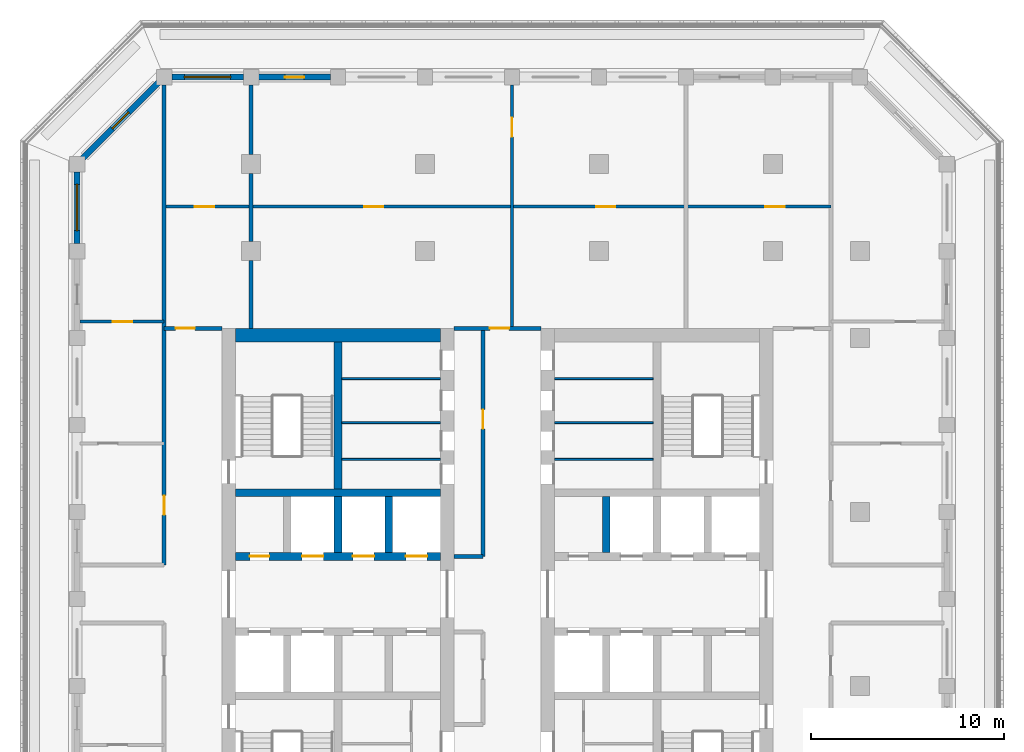
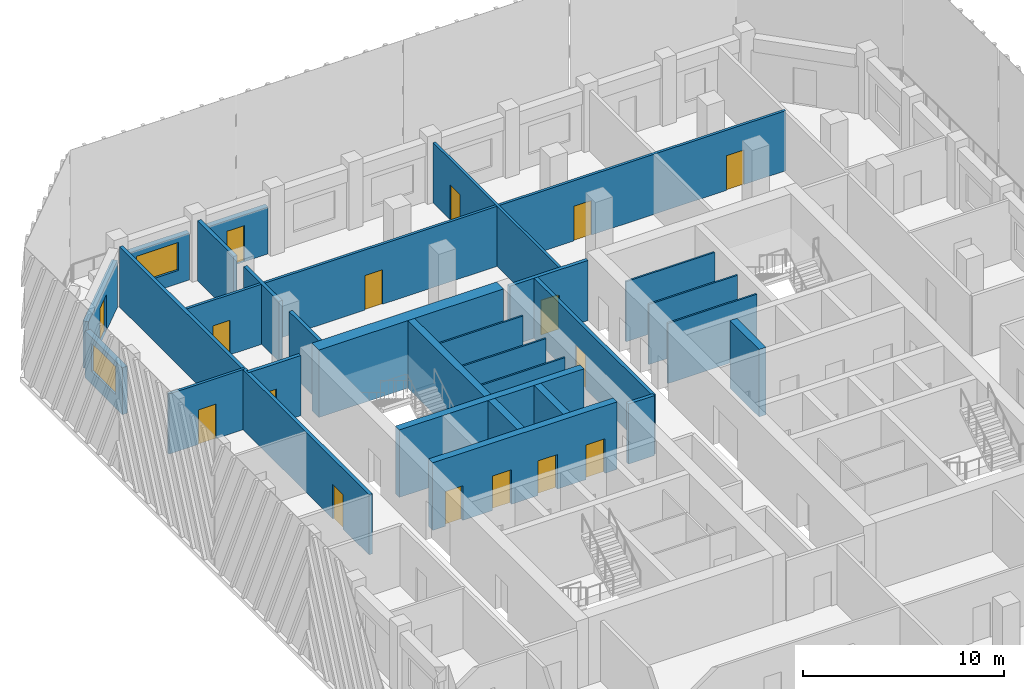
# One storey, part 6 of 17: 28 walls, 16 doors, 2 windows, 18 openings.
"""IFC4 building model written with IfcOpenShell, lengths in metres."""

from ifc_helpers import new_model, si_unit, direction, frame, frame_2d, origin, place, context, subcontext, project, spatial, rectangle, extrude, material, layer, layer_set, type_object, element, fill, save


model = new_model("IFC4")

# Units and contexts
model_context = context("Model", 3, precision=1e-05, world=origin(), true_north=direction((0.0, 1.0)))
body_context = subcontext(model_context, "Body", "Model", "MODEL_VIEW")
ifc_project = project(units=[si_unit("LENGTHUNIT", "METRE"), si_unit("AREAUNIT", "SQUARE_METRE"), si_unit("VOLUMEUNIT", "CUBIC_METRE"), si_unit("PLANEANGLEUNIT", "RADIAN"), si_unit("MASSUNIT", "GRAM", prefix="KILO")], contexts=[model_context])

# Site, building, storey
site_placement = place(None, origin())
site = spatial("IfcSite", under=ifc_project, at=site_placement, CompositionType="ELEMENT")
building_placement = place(site_placement, origin())
building = spatial("IfcBuilding", under=site, at=building_placement, Name="Corbel Stack Research Tower", CompositionType="ELEMENT")
storey_placement = place(building_placement, frame((0.0, 0.0, 239.800048828125)))
storey = spatial("IfcBuildingStorey", under=building, at=storey_placement, Name="L54", CompositionType="ELEMENT", Elevation=239.800048828125)

# Wall, openings, doors
ifc_material_1 = material(Name="Concrete C60/75", Category="concrete")
ifc_layer_1 = layer(ifc_material_1, 0.39990234375)
ifc_layer_set_1 = layer_set([ifc_layer_1], Name="Concrete C60/75")
wall_type_1 = type_object("IfcWallType", Name="CW-400-60", PredefinedType="SHEAR", material=ifc_layer_set_1)
wall_1_placement = place(storey_placement, frame((-9.800048828125, 6.699951171875, 0.0), z_axis=(0.0, 0.0, 1.0), x_axis=(1.0, 0.0, 0.0)))
wall_1 = element("IfcWall", 1, at=wall_1_placement, inside=storey, type_object=wall_type_1, Name="West core wall, lobby north L54", PredefinedType="SHEAR", context=body_context, shape_type="SweptSolid", body=[
    extrude(rectangle(XDim=10.60009765625, YDim=0.39990234375, at=frame_2d((5.300048828125, 0.0))), origin(), (0.0, 0.0, 1.0), 4.099853515625),
])
opening_1_placement = place(wall_1_placement, frame((3.4375, 0.0, 0.0)))
opening_1 = element("IfcOpeningElement", 2, at=opening_1_placement, cuts=wall_1, Name="Opening LD-HR1", PredefinedType="OPENING", context=body_context, shape_type="SweptSolid", body=[
    extrude(rectangle(XDim=1.10009765625, YDim=2.10009765625, at=frame_2d((0.550048828125, 1.050048828125))), frame((0.0, 0.2099609375, 0.0), z_axis=(0.0, -1.0, 0.0), x_axis=(1.0, 0.0, 0.0)), (0.0, 0.0, 1.0), 0.419921875),
])
opening_2_placement = place(wall_1_placement, frame((6.0625, 0.0, 0.0)))
opening_2 = element("IfcOpeningElement", 3, at=opening_2_placement, cuts=wall_1, Name="Opening LD-HR2", PredefinedType="OPENING", context=body_context, shape_type="SweptSolid", body=[
    extrude(rectangle(XDim=1.10009765625, YDim=2.10009765625, at=frame_2d((0.550048828125, 1.050048828125))), frame((0.0, 0.2099609375, 0.0), z_axis=(0.0, -1.0, 0.0), x_axis=(1.0, 0.0, 0.0)), (0.0, 0.0, 1.0), 0.419921875),
])
opening_3_placement = place(wall_1_placement, frame((8.8125, 0.0, 0.0)))
opening_3 = element("IfcOpeningElement", 4, at=opening_3_placement, cuts=wall_1, Name="Opening LD-HR3", PredefinedType="OPENING", context=body_context, shape_type="SweptSolid", body=[
    extrude(rectangle(XDim=1.10009765625, YDim=2.10009765625, at=frame_2d((0.550048828125, 1.050048828125))), frame((0.0, 0.2099609375, 0.0), z_axis=(0.0, -1.0, 0.0), x_axis=(1.0, 0.0, 0.0)), (0.0, 0.0, 1.0), 0.419921875),
])
opening_4_placement = place(wall_1_placement, frame((0.737548828125, 0.0, 0.0)))
opening_4 = element("IfcOpeningElement", 5, at=opening_4_placement, cuts=wall_1, Name="Opening CR-W66-N1", PredefinedType="OPENING", context=body_context, shape_type="SweptSolid", body=[
    extrude(rectangle(XDim=1.0, YDim=2.10009765625, at=frame_2d((0.5, 1.050048828125))), frame((0.0, 0.2099609375, 0.0), z_axis=(0.0, -1.0, 0.0), x_axis=(1.0, 0.0, 0.0)), (0.0, 0.0, 1.0), 0.419921875),
])
ifc_material_2 = material(Name="Stainless steel landing door", Category="steel")
door_type_1 = type_object("IfcDoorType", Name="Lift landing door 1100 x 2100", OperationType="DOUBLE_DOOR_SLIDING", PredefinedType="DOOR", material=ifc_material_2)
door_1_placement = place(opening_1_placement, origin())
door_1 = element("IfcDoor", 6, at=door_1_placement, inside=storey, type_object=door_type_1, Name="Landing door HR1", OperationType="DOUBLE_DOOR_SLIDING", OverallHeight=2.10009765625, OverallWidth=1.10009765625, PredefinedType="DOOR", context=body_context, shape_type="SweptSolid", body=[
    extrude(rectangle(XDim=1.10009765625, YDim=2.10009765625, at=frame_2d((0.550048828125, 1.050048828125))), frame((0.0, 0.02490234375, 0.0), z_axis=(0.0, -1.0, 0.0), x_axis=(1.0, 0.0, 0.0)), (0.0, 0.0, 1.0), 0.050048828125),
])
fill(opening_1, door_1)
door_2_placement = place(opening_2_placement, origin())
door_2 = element("IfcDoor", 7, at=door_2_placement, inside=storey, type_object=door_type_1, Name="Landing door HR2", OperationType="DOUBLE_DOOR_SLIDING", OverallHeight=2.10009765625, OverallWidth=1.10009765625, PredefinedType="DOOR", context=body_context, shape_type="SweptSolid", body=[
    extrude(rectangle(XDim=1.10009765625, YDim=2.10009765625, at=frame_2d((0.550048828125, 1.050048828125))), frame((0.0, 0.02490234375, 0.0), z_axis=(0.0, -1.0, 0.0), x_axis=(1.0, 0.0, 0.0)), (0.0, 0.0, 1.0), 0.050048828125),
])
fill(opening_2, door_2)
door_3_placement = place(opening_3_placement, origin())
door_3 = element("IfcDoor", 8, at=door_3_placement, inside=storey, type_object=door_type_1, Name="Landing door HR3", OperationType="DOUBLE_DOOR_SLIDING", OverallHeight=2.10009765625, OverallWidth=1.10009765625, PredefinedType="DOOR", context=body_context, shape_type="SweptSolid", body=[
    extrude(rectangle(XDim=1.10009765625, YDim=2.10009765625, at=frame_2d((0.550048828125, 1.050048828125))), frame((0.0, 0.02490234375, 0.0), z_axis=(0.0, -1.0, 0.0), x_axis=(1.0, 0.0, 0.0)), (0.0, 0.0, 1.0), 0.050048828125),
])
fill(opening_3, door_3)
ifc_material_3 = material(Name="Painted steel door", Category="steel")
door_type_2 = type_object("IfcDoorType", Name="Service door 1000 x 2100 FD60 left hand", OperationType="SINGLE_SWING_LEFT", PredefinedType="DOOR", material=ifc_material_3)
door_4_placement = place(opening_4_placement, origin())
door_4 = element("IfcDoor", 9, at=door_4_placement, inside=storey, type_object=door_type_2, Name="Laboratory consumables store door W core", OperationType="SINGLE_SWING_LEFT", OverallHeight=2.10009765625, OverallWidth=1.0, PredefinedType="DOOR", context=body_context, shape_type="SweptSolid", body=[
    extrude(rectangle(XDim=1.0, YDim=2.10009765625, at=frame_2d((0.5, 1.050048828125))), frame((0.0, 0.02490234375, 0.0), z_axis=(0.0, -1.0, 0.0), x_axis=(1.0, 0.0, 0.0)), (0.0, 0.0, 1.0), 0.050048828125),
])
fill(opening_4, door_4)

# Walls
wall_2_placement = place(storey_placement, frame((-9.800048828125, 10.0, 0.0), z_axis=(0.0, 0.0, 1.0), x_axis=(1.0, 0.0, 0.0)))
element("IfcWall", 10, at=wall_2_placement, inside=storey, type_object=wall_type_1, Name="West core wall, north row back L54", PredefinedType="SHEAR", context=body_context, shape_type="SweptSolid", body=[
    extrude(rectangle(XDim=10.60009765625, YDim=0.39990234375, at=frame_2d((5.300048828125, 0.0))), origin(), (0.0, 0.0, 1.0), 4.099853515625),
])
for number, where, z_axis, x_axis, name in (
    (11, (-4.5, 6.89990234375, 0.0), (0.0, 0.0, 1.0), (0.0, 1.0, 0.0), "West core wall, north shaft 2 L54"),
    (12, (-1.875, 6.89990234375, 0.0), (0.0, 0.0, 1.0), (0.0, 1.0, 0.0), "West core wall, north shaft 3 L54"),
):
    element("IfcWall", number, at=place(storey_placement, frame(where, z_axis=z_axis, x_axis=x_axis)), inside=storey, type_object=wall_type_1, Name=name, PredefinedType="SHEAR", context=body_context, shape_type="SweptSolid", body=[
        extrude(rectangle(XDim=2.900146484375, YDim=0.39990234375, at=frame_2d((1.4501953125, 0.0))), origin(), (0.0, 0.0, 1.0), 4.099853515625),
    ])
wall_3_placement = place(storey_placement, frame((-4.5, 10.199951171875, 0.0), z_axis=(0.0, 0.0, 1.0), x_axis=(0.0, 1.0, 0.0)))
element("IfcWall", 13, at=wall_3_placement, inside=storey, type_object=wall_type_1, Name="West core wall, north stair and riser L54", PredefinedType="SHEAR", context=body_context, shape_type="SweptSolid", body=[
    extrude(rectangle(XDim=7.60009765625, YDim=0.39990234375, at=frame_2d((3.800048828125, 0.0))), origin(), (0.0, 0.0, 1.0), 4.099853515625),
])
wall_4_placement = place(storey_placement, frame((9.375, 6.89990234375, 0.0), z_axis=(0.0, 0.0, 1.0), x_axis=(0.0, 1.0, 0.0)))
element("IfcWall", 14, at=wall_4_placement, inside=storey, type_object=wall_type_1, Name="East core wall, north shaft 1 L54", PredefinedType="SHEAR", context=body_context, shape_type="SweptSolid", body=[
    extrude(rectangle(XDim=2.900146484375, YDim=0.39990234375, at=frame_2d((1.4501953125, 0.0))), origin(), (0.0, 0.0, 1.0), 4.099853515625),
])
ifc_material_4 = material(Name="Concrete C60/75", Category="concrete")
ifc_layer_2 = layer(ifc_material_4, 0.699951171875)
ifc_layer_set_2 = layer_set([ifc_layer_2], Name="Concrete C60/75")
wall_type_2 = type_object("IfcWallType", Name="CW-700-60", PredefinedType="SHEAR", material=ifc_layer_set_2)
wall_5_placement = place(storey_placement, frame((-9.800048828125, 18.14990234375, 0.0), z_axis=(0.0, 0.0, 1.0), x_axis=(1.0, 0.0, 0.0)))
element("IfcWall", 15, at=wall_5_placement, inside=storey, type_object=wall_type_2, Name="West core wall, north end L54", PredefinedType="SHEAR", context=body_context, shape_type="SweptSolid", body=[
    extrude(rectangle(XDim=10.60009765625, YDim=0.699951171875, at=frame_2d((5.300048828125, 0.0))), origin(), (0.0, 0.0, 1.0), 4.099853515625),
])
ifc_material_5 = material(Name="Gypsum board")
ifc_layer_3 = layer(ifc_material_5, 0.10009765625)
ifc_layer_set_3 = layer_set([ifc_layer_3], Name="Gypsum board")
wall_type_3 = type_object("IfcWallType", Name="Core partition 100", PredefinedType="PARTITIONING", material=ifc_layer_set_3)
for number, where, z_axis, x_axis, name in (
    (16, (-4.300048828125, 11.719970703125, 0.0), (0.0, 0.0, 1.0), (1.0, 0.0, 0.0), "Core partition W"),
    (17, (-4.300048828125, 13.6201171875, 0.0), (0.0, 0.0, 1.0), (1.0, 0.0, 0.0), "Core partition W"),
    (18, (-4.300048828125, 15.89990234375, 0.0), (0.0, 0.0, 1.0), (1.0, 0.0, 0.0), "Core partition W"),
    (19, (6.699951171875, 11.719970703125, 0.0), (0.0, 0.0, 1.0), (1.0, 0.0, 0.0), "Core partition E"),
    (20, (6.699951171875, 13.6201171875, 0.0), (0.0, 0.0, 1.0), (1.0, 0.0, 0.0), "Core partition E"),
    (21, (6.699951171875, 15.89990234375, 0.0), (0.0, 0.0, 1.0), (1.0, 0.0, 0.0), "Core partition E"),
):
    element("IfcWall", number, at=place(storey_placement, frame(where, z_axis=z_axis, x_axis=x_axis)), inside=storey, type_object=wall_type_3, Name=name, PredefinedType="PARTITIONING", context=body_context, shape_type="SweptSolid", body=[
        extrude(rectangle(XDim=5.10009765625, YDim=0.10009765625, at=frame_2d((2.550048828125, 0.0))), origin(), (0.0, 0.0, 1.0), 3.64990234375),
    ])

# Wall, opening, door
ifc_material_6 = material(Name="Fire-rated gypsum board partition on steel studs", Category="steel")
ifc_layer_4 = layer(ifc_material_6, 0.14990234375)
ifc_layer_set_4 = layer_set([ifc_layer_4], Name="Fire-rated gypsum board partition on steel studs")
wall_type_4 = type_object("IfcWallType", Name="Fire-rated partition 150 EI 60", PredefinedType="PARTITIONING", material=ifc_layer_set_4)
wall_6_placement = place(storey_placement, frame((4.5, 31.10009765625, 0.0), z_axis=(0.0, 0.0, 1.0), x_axis=(0.0, -1.0, 0.0)))
wall_6 = element("IfcWall", 22, at=wall_6_placement, inside=storey, type_object=wall_type_4, Name="Partition L54-011", PredefinedType="PARTITIONING", context=body_context, shape_type="SweptSolid", body=[
    extrude(rectangle(XDim=12.60009765625, YDim=0.14990234375, at=frame_2d((6.300048828125, 0.0))), origin(), (0.0, 0.0, 1.0), 3.64990234375),
])
opening_5_placement = place(wall_6_placement, frame((1.699951171875, 0.0, 0.0)))
opening_5 = element("IfcOpeningElement", 23, at=opening_5_placement, cuts=wall_6, Name="Opening B7V0-018", PredefinedType="OPENING", context=body_context, shape_type="SweptSolid", body=[
    extrude(rectangle(XDim=1.0, YDim=2.10009765625, at=frame_2d((0.5, 1.050048828125))), frame((0.0, 0.0849609375, 0.0), z_axis=(0.0, -1.0, 0.0), x_axis=(1.0, 0.0, 0.0)), (0.0, 0.0, 1.0), 0.169921875),
])
ifc_material_7 = material(Name="Painted steel fire door", Category="steel")
door_type_3 = type_object("IfcDoorType", Name="Fire door FD30S 1000 x 2100", OperationType="NOTDEFINED", PredefinedType="DOOR", material=ifc_material_7)
door_5_placement = place(opening_5_placement, origin())
door_5 = element("IfcDoor", 24, at=door_5_placement, inside=storey, type_object=door_type_3, Name="Door B7V0-018", OperationType="SINGLE_SWING_LEFT", OverallHeight=2.10009765625, OverallWidth=1.0, PredefinedType="DOOR", context=body_context, shape_type="SweptSolid", body=[
    extrude(rectangle(XDim=1.0, YDim=2.10009765625, at=frame_2d((0.5, 1.050048828125))), frame((0.0, 0.02490234375, 0.0), z_axis=(0.0, -1.0, 0.0), x_axis=(1.0, 0.0, 0.0)), (0.0, 0.0, 1.0), 0.050048828125),
])
fill(opening_5, door_5)

ifc_material_8 = material(Name="Fire-rated gypsum board partition on steel studs", Category="steel")
ifc_layer_5 = layer(ifc_material_8, 0.199951171875)
ifc_layer_set_5 = layer_set([ifc_layer_5], Name="Fire-rated gypsum board partition on steel studs")
wall_type_5 = type_object("IfcWallType", Name="Fire-rated partition 200 EI 60", PredefinedType="PARTITIONING", material=ifc_layer_set_5)
wall_7_placement = place(storey_placement, frame((-13.5, 6.25, 0.0), z_axis=(0.0, 0.0, 1.0), x_axis=(0.0, 1.0, 0.0)))
wall_7 = element("IfcWall", 25, at=wall_7_placement, inside=storey, type_object=wall_type_5, Name="Partition L54-002", PredefinedType="PARTITIONING", context=body_context, shape_type="SweptSolid", body=[
    extrude(rectangle(XDim=24.8271484375, YDim=0.199951171875, at=frame_2d((12.41357421875, 0.0))), origin(), (0.0, 0.0, 1.0), 3.64990234375),
])
opening_6_placement = place(wall_7_placement, frame((2.60009765625, 0.0, 0.0)))
opening_6 = element("IfcOpeningElement", 26, at=opening_6_placement, cuts=wall_7, Name="Opening B7V0-006", PredefinedType="OPENING", context=body_context, shape_type="SweptSolid", body=[
    extrude(rectangle(XDim=1.0, YDim=2.10009765625, at=frame_2d((0.5, 1.050048828125))), frame((0.0, 0.10986328125, 0.0), z_axis=(0.0, -1.0, 0.0), x_axis=(1.0, 0.0, 0.0)), (0.0, 0.0, 1.0), 0.219970703125),
])
door_6_placement = place(opening_6_placement, origin())
door_6 = element("IfcDoor", 27, at=door_6_placement, inside=storey, type_object=door_type_3, Name="Door B7V0-006", OperationType="SINGLE_SWING_LEFT", OverallHeight=2.10009765625, OverallWidth=1.0, PredefinedType="DOOR", context=body_context, shape_type="SweptSolid", body=[
    extrude(rectangle(XDim=1.0, YDim=2.10009765625, at=frame_2d((0.5, 1.050048828125))), frame((0.0, 0.02490234375, 0.0), z_axis=(0.0, -1.0, 0.0), x_axis=(1.0, 0.0, 0.0)), (0.0, 0.0, 1.0), 0.050048828125),
])
fill(opening_6, door_6)

# Walls
for number, where, z_axis, x_axis, name in (
    (28, (-9.0, 18.5, 0.0), (0.0, 0.0, 1.0), (0.0, 1.0, 0.0), "Partition L54-005"),
    (29, (-9.0, 23.0, 0.0), (0.0, 0.0, 1.0), (0.0, 1.0, 0.0), "Partition L54-006"),
):
    element("IfcWall", number, at=place(storey_placement, frame(where, z_axis=z_axis, x_axis=x_axis)), inside=storey, type_object=wall_type_5, Name=name, PredefinedType="PARTITIONING", context=body_context, shape_type="SweptSolid", body=[
        extrude(rectangle(XDim=3.5, YDim=0.199951171875, at=frame_2d((1.75, 0.0))), origin(), (0.0, 0.0, 1.0), 3.64990234375),
    ])
wall_8_placement = place(storey_placement, frame((-9.0, 27.5, 0.0), z_axis=(0.0, 0.0, 1.0), x_axis=(0.0, 1.0, 0.0)))
element("IfcWall", 30, at=wall_8_placement, inside=storey, type_object=wall_type_5, Name="Partition L54-007", PredefinedType="PARTITIONING", context=body_context, shape_type="SweptSolid", body=[
    extrude(rectangle(XDim=3.60009765625, YDim=0.199951171875, at=frame_2d((1.800048828125, 0.0))), origin(), (0.0, 0.0, 1.0), 3.64990234375),
])

# Wall, opening, door
wall_9_placement = place(storey_placement, frame((3.0, 6.699951171875, 0.0), z_axis=(0.0, 0.0, 1.0), x_axis=(0.0, 1.0, 0.0)))
wall_9 = element("IfcWall", 31, at=wall_9_placement, inside=storey, type_object=wall_type_5, Name="Partition L54-010", PredefinedType="PARTITIONING", context=body_context, shape_type="SweptSolid", body=[
    extrude(rectangle(XDim=11.800048828125, YDim=0.199951171875, at=frame_2d((5.89990234375, 0.0))), origin(), (0.0, 0.0, 1.0), 3.64990234375),
])
opening_7_placement = place(wall_9_placement, frame((6.60009765625, 0.0, 0.0)))
opening_7 = element("IfcOpeningElement", 32, at=opening_7_placement, cuts=wall_9, Name="Opening B7V0-017", PredefinedType="OPENING", context=body_context, shape_type="SweptSolid", body=[
    extrude(rectangle(XDim=1.0, YDim=2.10009765625, at=frame_2d((0.5, 1.050048828125))), frame((0.0, 0.10986328125, 0.0), z_axis=(0.0, -1.0, 0.0), x_axis=(1.0, 0.0, 0.0)), (0.0, 0.0, 1.0), 0.219970703125),
])
door_7_placement = place(opening_7_placement, origin())
door_7 = element("IfcDoor", 33, at=door_7_placement, inside=storey, type_object=door_type_3, Name="Door B7V0-017", OperationType="SINGLE_SWING_RIGHT", OverallHeight=2.10009765625, OverallWidth=1.0, PredefinedType="DOOR", context=body_context, shape_type="SweptSolid", body=[
    extrude(rectangle(XDim=1.0, YDim=2.10009765625, at=frame_2d((0.5, 1.050048828125))), frame((0.0, 0.02490234375, 0.0), z_axis=(0.0, -1.0, 0.0), x_axis=(1.0, 0.0, 0.0)), (0.0, 0.0, 1.0), 0.050048828125),
])
fill(opening_7, door_7)

# Wall
wall_10_placement = place(storey_placement, frame((1.5, 6.699951171875, 0.0), z_axis=(0.0, 0.0, 1.0), x_axis=(1.0, 0.0, 0.0)))
element("IfcWall", 34, at=wall_10_placement, inside=storey, type_object=wall_type_5, Name="Partition L54-033", PredefinedType="PARTITIONING", context=body_context, shape_type="SweptSolid", body=[
    extrude(rectangle(XDim=1.5, YDim=0.199951171875, at=frame_2d((0.75, 0.0))), origin(), (0.0, 0.0, 1.0), 3.64990234375),
])

# Wall, opening, door
wall_11_placement = place(storey_placement, frame((-13.5, 18.5, 0.0), z_axis=(0.0, 0.0, 1.0), x_axis=(1.0, 0.0, 0.0)))
wall_11 = element("IfcWall", 35, at=wall_11_placement, inside=storey, type_object=wall_type_5, Name="Partition L54-036", PredefinedType="PARTITIONING", context=body_context, shape_type="SweptSolid", body=[
    extrude(rectangle(XDim=3.0, YDim=0.199951171875, at=frame_2d((1.5, 0.0))), origin(), (0.0, 0.0, 1.0), 3.64990234375),
])
opening_8_placement = place(wall_11_placement, frame((0.60009765625, 0.0, 0.0)))
opening_8 = element("IfcOpeningElement", 36, at=opening_8_placement, cuts=wall_11, Name="Opening B7V0-021", PredefinedType="OPENING", context=body_context, shape_type="SweptSolid", body=[
    extrude(rectangle(XDim=1.0, YDim=2.10009765625, at=frame_2d((0.5, 1.050048828125))), frame((0.0, 0.10986328125, 0.0), z_axis=(0.0, -1.0, 0.0), x_axis=(1.0, 0.0, 0.0)), (0.0, 0.0, 1.0), 0.219970703125),
])
door_8_placement = place(opening_8_placement, origin())
door_8 = element("IfcDoor", 37, at=door_8_placement, inside=storey, type_object=door_type_3, Name="Door B7V0-021", OperationType="SINGLE_SWING_LEFT", OverallHeight=2.10009765625, OverallWidth=1.0, PredefinedType="DOOR", context=body_context, shape_type="SweptSolid", body=[
    extrude(rectangle(XDim=1.0, YDim=2.10009765625, at=frame_2d((0.5, 1.050048828125))), frame((0.0, 0.02490234375, 0.0), z_axis=(0.0, -1.0, 0.0), x_axis=(1.0, 0.0, 0.0)), (0.0, 0.0, 1.0), 0.050048828125),
])
fill(opening_8, door_8)

wall_12_placement = place(storey_placement, frame((1.5, 18.5, 0.0), z_axis=(0.0, 0.0, 1.0), x_axis=(1.0, 0.0, 0.0)))
wall_12 = element("IfcWall", 38, at=wall_12_placement, inside=storey, type_object=wall_type_5, Name="Partition L54-037", PredefinedType="PARTITIONING", context=body_context, shape_type="SweptSolid", body=[
    extrude(rectangle(XDim=4.5, YDim=0.199951171875, at=frame_2d((2.25, 0.0))), origin(), (0.0, 0.0, 1.0), 3.64990234375),
])
opening_9_placement = place(wall_12_placement, frame((1.85009765625, 0.0, 0.0)))
opening_9 = element("IfcOpeningElement", 39, at=opening_9_placement, cuts=wall_12, Name="Opening B7V0-022", PredefinedType="OPENING", context=body_context, shape_type="SweptSolid", body=[
    extrude(rectangle(XDim=1.0, YDim=2.10009765625, at=frame_2d((0.5, 1.050048828125))), frame((0.0, 0.10986328125, 0.0), z_axis=(0.0, -1.0, 0.0), x_axis=(1.0, 0.0, 0.0)), (0.0, 0.0, 1.0), 0.219970703125),
])
door_9_placement = place(opening_9_placement, origin())
door_9 = element("IfcDoor", 40, at=door_9_placement, inside=storey, type_object=door_type_3, Name="Door B7V0-022", OperationType="SINGLE_SWING_RIGHT", OverallHeight=2.10009765625, OverallWidth=1.0, PredefinedType="DOOR", context=body_context, shape_type="SweptSolid", body=[
    extrude(rectangle(XDim=1.0, YDim=2.10009765625, at=frame_2d((0.5, 1.050048828125))), frame((0.0, 0.02490234375, 0.0), z_axis=(0.0, -1.0, 0.0), x_axis=(1.0, 0.0, 0.0)), (0.0, 0.0, 1.0), 0.050048828125),
])
fill(opening_9, door_9)

ifc_material_9 = material(Name="Gypsum board partition on steel studs", Category="steel")
ifc_layer_6 = layer(ifc_material_9, 0.14990234375)
ifc_layer_set_6 = layer_set([ifc_layer_6], Name="Gypsum board partition on steel studs")
wall_type_6 = type_object("IfcWallType", Name="Partition 150", PredefinedType="PARTITIONING", material=ifc_layer_set_6)
wall_13_placement = place(storey_placement, frame((-17.85009765625, 18.85009765625, 0.0), z_axis=(0.0, 0.0, 1.0), x_axis=(1.0, 0.0, 0.0)))
wall_13 = element("IfcWall", 41, at=wall_13_placement, inside=storey, type_object=wall_type_6, Name="Partition L54-039", PredefinedType="PARTITIONING", context=body_context, shape_type="SweptSolid", body=[
    extrude(rectangle(XDim=4.35009765625, YDim=0.14990234375, at=frame_2d((2.175048828125, 0.0))), origin(), (0.0, 0.0, 1.0), 3.64990234375),
])
opening_10_placement = place(wall_13_placement, frame((1.699951171875, 0.0, 0.0)))
opening_10 = element("IfcOpeningElement", 42, at=opening_10_placement, cuts=wall_13, Name="Opening B7V0-024", PredefinedType="OPENING", context=body_context, shape_type="SweptSolid", body=[
    extrude(rectangle(XDim=1.0, YDim=2.10009765625, at=frame_2d((0.5, 1.050048828125))), frame((0.0, 0.0849609375, 0.0), z_axis=(0.0, -1.0, 0.0), x_axis=(1.0, 0.0, 0.0)), (0.0, 0.0, 1.0), 0.169921875),
])
ifc_material_10 = material(Name="Painted timber door", Category="wood")
door_type_4 = type_object("IfcDoorType", Name="Single door 1000 x 2100", OperationType="NOTDEFINED", PredefinedType="DOOR", material=ifc_material_10)
door_10_placement = place(opening_10_placement, origin())
door_10 = element("IfcDoor", 43, at=door_10_placement, inside=storey, type_object=door_type_4, Name="Door B7V0-024", OperationType="SINGLE_SWING_LEFT", OverallHeight=2.10009765625, OverallWidth=1.0, PredefinedType="DOOR", context=body_context, shape_type="SweptSolid", body=[
    extrude(rectangle(XDim=1.0, YDim=2.10009765625, at=frame_2d((0.5, 1.050048828125))), frame((0.0, 0.02490234375, 0.0), z_axis=(0.0, -1.0, 0.0), x_axis=(1.0, 0.0, 0.0)), (0.0, 0.0, 1.0), 0.050048828125),
])
fill(opening_10, door_10)

# Wall, openings, doors
wall_14_placement = place(storey_placement, frame((-13.5, 24.800048828125, 0.0), z_axis=(0.0, 0.0, 1.0), x_axis=(1.0, 0.0, 0.0)))
wall_14 = element("IfcWall", 44, at=wall_14_placement, inside=storey, type_object=wall_type_6, Name="Partition L54-041", PredefinedType="PARTITIONING", context=body_context, shape_type="SweptSolid", body=[
    extrude(rectangle(XDim=34.5, YDim=0.14990234375, at=frame_2d((17.25, 0.0))), origin(), (0.0, 0.0, 1.0), 3.64990234375),
])
opening_11_placement = place(wall_14_placement, frame((1.60009765625, 0.0, 0.0)))
opening_11 = element("IfcOpeningElement", 45, at=opening_11_placement, cuts=wall_14, Name="Opening B7V0-028", PredefinedType="OPENING", context=body_context, shape_type="SweptSolid", body=[
    extrude(rectangle(XDim=1.0, YDim=2.10009765625, at=frame_2d((0.5, 1.050048828125))), frame((0.0, 0.0849609375, 0.0), z_axis=(0.0, -1.0, 0.0), x_axis=(1.0, 0.0, 0.0)), (0.0, 0.0, 1.0), 0.169921875),
])
opening_12_placement = place(wall_14_placement, frame((10.35009765625, 0.0, 0.0)))
opening_12 = element("IfcOpeningElement", 46, at=opening_12_placement, cuts=wall_14, Name="Opening B7V0-029", PredefinedType="OPENING", context=body_context, shape_type="SweptSolid", body=[
    extrude(rectangle(XDim=1.0, YDim=2.10009765625, at=frame_2d((0.5, 1.050048828125))), frame((0.0, 0.0849609375, 0.0), z_axis=(0.0, -1.0, 0.0), x_axis=(1.0, 0.0, 0.0)), (0.0, 0.0, 1.0), 0.169921875),
])
opening_13_placement = place(wall_14_placement, frame((22.35009765625, 0.0, 0.0)))
opening_13 = element("IfcOpeningElement", 47, at=opening_13_placement, cuts=wall_14, Name="Opening B7V0-030", PredefinedType="OPENING", context=body_context, shape_type="SweptSolid", body=[
    extrude(rectangle(XDim=1.0, YDim=2.10009765625, at=frame_2d((0.5, 1.050048828125))), frame((0.0, 0.0849609375, 0.0), z_axis=(0.0, -1.0, 0.0), x_axis=(1.0, 0.0, 0.0)), (0.0, 0.0, 1.0), 0.169921875),
])
opening_14_placement = place(wall_14_placement, frame((31.10009765625, 0.0, 0.0)))
opening_14 = element("IfcOpeningElement", 48, at=opening_14_placement, cuts=wall_14, Name="Opening B7V0-031", PredefinedType="OPENING", context=body_context, shape_type="SweptSolid", body=[
    extrude(rectangle(XDim=1.0, YDim=2.10009765625, at=frame_2d((0.5, 1.050048828125))), frame((0.0, 0.0849609375, 0.0), z_axis=(0.0, -1.0, 0.0), x_axis=(1.0, 0.0, 0.0)), (0.0, 0.0, 1.0), 0.169921875),
])
door_11_placement = place(opening_11_placement, origin())
door_11 = element("IfcDoor", 49, at=door_11_placement, inside=storey, type_object=door_type_4, Name="Door B7V0-028", OperationType="SINGLE_SWING_LEFT", OverallHeight=2.10009765625, OverallWidth=1.0, PredefinedType="DOOR", context=body_context, shape_type="SweptSolid", body=[
    extrude(rectangle(XDim=1.0, YDim=2.10009765625, at=frame_2d((0.5, 1.050048828125))), frame((0.0, 0.02490234375, 0.0), z_axis=(0.0, -1.0, 0.0), x_axis=(1.0, 0.0, 0.0)), (0.0, 0.0, 1.0), 0.050048828125),
])
fill(opening_11, door_11)
door_12_placement = place(opening_12_placement, origin())
door_12 = element("IfcDoor", 50, at=door_12_placement, inside=storey, type_object=door_type_4, Name="Door B7V0-029", OperationType="SINGLE_SWING_LEFT", OverallHeight=2.10009765625, OverallWidth=1.0, PredefinedType="DOOR", context=body_context, shape_type="SweptSolid", body=[
    extrude(rectangle(XDim=1.0, YDim=2.10009765625, at=frame_2d((0.5, 1.050048828125))), frame((0.0, 0.02490234375, 0.0), z_axis=(0.0, -1.0, 0.0), x_axis=(1.0, 0.0, 0.0)), (0.0, 0.0, 1.0), 0.050048828125),
])
fill(opening_12, door_12)
door_13_placement = place(opening_13_placement, origin())
door_13 = element("IfcDoor", 51, at=door_13_placement, inside=storey, type_object=door_type_4, Name="Door B7V0-030", OperationType="SINGLE_SWING_RIGHT", OverallHeight=2.10009765625, OverallWidth=1.0, PredefinedType="DOOR", context=body_context, shape_type="SweptSolid", body=[
    extrude(rectangle(XDim=1.0, YDim=2.10009765625, at=frame_2d((0.5, 1.050048828125))), frame((0.0, 0.02490234375, 0.0), z_axis=(0.0, -1.0, 0.0), x_axis=(1.0, 0.0, 0.0)), (0.0, 0.0, 1.0), 0.050048828125),
])
fill(opening_13, door_13)
door_14_placement = place(opening_14_placement, origin())
door_14 = element("IfcDoor", 52, at=door_14_placement, inside=storey, type_object=door_type_4, Name="Door B7V0-031", OperationType="SINGLE_SWING_RIGHT", OverallHeight=2.10009765625, OverallWidth=1.0, PredefinedType="DOOR", context=body_context, shape_type="SweptSolid", body=[
    extrude(rectangle(XDim=1.0, YDim=2.10009765625, at=frame_2d((0.5, 1.050048828125))), frame((0.0, 0.02490234375, 0.0), z_axis=(0.0, -1.0, 0.0), x_axis=(1.0, 0.0, 0.0)), (0.0, 0.0, 1.0), 0.050048828125),
])
fill(opening_14, door_14)

# Wall, opening, door
ifc_material_11 = material(Name="Concrete C45/55", Category="concrete")
ifc_layer_7 = layer(ifc_material_11, 0.300048828125)
ifc_layer_set_7 = layer_set([ifc_layer_7], Name="Concrete C45/55")
wall_type_7 = type_object("IfcWallType", Name="Terracotta-faced concrete wall 300", PredefinedType="SOLIDWALL", material=ifc_layer_set_7)
wall_15_placement = place(storey_placement, frame((-8.60009765625, 31.5, 0.0), z_axis=(0.0, 0.0, 1.0), x_axis=(1.0, 0.0, 0.0)))
wall_15 = element("IfcWall", 53, at=wall_15_placement, inside=storey, type_object=wall_type_7, Name="Facade wall L54 N07", PredefinedType="SOLIDWALL", context=body_context, shape_type="SweptSolid", body=[
    extrude(rectangle(XDim=3.7001953125, YDim=0.300048828125, at=frame_2d((1.85009765625, 0.0))), origin(), (0.0, 0.0, 1.0), 2.849853515625),
])
opening_15_placement = place(wall_15_placement, frame((1.35009765625, 0.0, 0.0)))
opening_15 = element("IfcOpeningElement", 54, at=opening_15_placement, cuts=wall_15, Name="Opening L54-B08", PredefinedType="OPENING", context=body_context, shape_type="SweptSolid", body=[
    extrude(rectangle(XDim=1.0, YDim=2.199951171875, at=frame_2d((0.5, 1.10009765625))), frame((0.0, 0.159912109375, 0.0), z_axis=(0.0, -1.0, 0.0), x_axis=(1.0, 0.0, 0.0)), (0.0, 0.0, 1.0), 0.320068359375),
])
ifc_material_12 = material(Name="Aluminium frame, clear double glazing", Category="aluminium")
door_type_5 = type_object("IfcDoorType", Name="Balcony door BD1 1000 x 2200", OperationType="NOTDEFINED", PredefinedType="DOOR", material=ifc_material_12)
door_15_placement = place(opening_15_placement, origin())
door_15 = element("IfcDoor", 55, at=door_15_placement, inside=storey, type_object=door_type_5, Name="Balcony door L54-B08", OperationType="SINGLE_SWING_LEFT", OverallHeight=2.199951171875, OverallWidth=1.0, PredefinedType="DOOR", context=body_context, shape_type="SweptSolid", body=[
    extrude(rectangle(XDim=1.0, YDim=2.199951171875, at=frame_2d((0.5, 1.10009765625))), frame((0.0, 0.02490234375, 0.0), z_axis=(0.0, -1.0, 0.0), x_axis=(1.0, 0.0, 0.0)), (0.0, 0.0, 1.0), 0.050048828125),
])
fill(opening_15, door_15)

# Wall, opening, window
wall_16_placement = place(storey_placement, frame((-13.10009765625, 31.5, 0.0), z_axis=(0.0, 0.0, 1.0), x_axis=(1.0, 0.0, 0.0)))
wall_16 = element("IfcWall", 56, at=wall_16_placement, inside=storey, type_object=wall_type_7, Name="Facade wall L54 N08", PredefinedType="SOLIDWALL", context=body_context, shape_type="SweptSolid", body=[
    extrude(rectangle(XDim=3.7001953125, YDim=0.300048828125, at=frame_2d((1.85009765625, 0.0))), origin(), (0.0, 0.0, 1.0), 2.849853515625),
])
opening_16_placement = place(wall_16_placement, frame((0.64990234375, 0.0, 0.800048828125)))
opening_16 = element("IfcOpeningElement", 57, at=opening_16_placement, cuts=wall_16, Name="Opening W1", PredefinedType="OPENING", context=body_context, shape_type="SweptSolid", body=[
    extrude(rectangle(XDim=2.39990234375, YDim=1.699951171875, at=frame_2d((1.199951171875, 0.85009765625))), frame((0.0, 0.159912109375, 0.0), z_axis=(0.0, -1.0, 0.0), x_axis=(1.0, 0.0, 0.0)), (0.0, 0.0, 1.0), 0.320068359375),
])
ifc_material_13 = material(Name="Aluminium frame, clear double glazing", Category="aluminium")
window_type = type_object("IfcWindowType", Name="Window W1 2400 x 1700", PartitioningType="SINGLE_PANEL", PredefinedType="WINDOW", material=ifc_material_13)
window_1_placement = place(opening_16_placement, origin())
window_1 = element("IfcWindow", 58, at=window_1_placement, inside=storey, type_object=window_type, Name="Window W1 L54 N08", OverallHeight=1.699951171875, OverallWidth=2.39990234375, PartitioningType="SINGLE_PANEL", PredefinedType="WINDOW", context=body_context, shape_type="SweptSolid", body=[
    extrude(rectangle(XDim=2.39990234375, YDim=1.699951171875, at=frame_2d((1.199951171875, 0.85009765625))), frame((0.0, 0.030029296875, 0.0), z_axis=(0.0, -1.0, 0.0), x_axis=(1.0, 0.0, 0.0)), (0.0, 0.0, 1.0), 0.06005859375),
])
fill(opening_16, window_1)

# Wall, opening, door
wall_17_placement = place(storey_placement, frame((-17.7060546875, 27.2939453125, 0.0), z_axis=(0.0, 0.0, 1.0), x_axis=(0.707106781187, 0.707106781187, 0.0)))
wall_17 = element("IfcWall", 59, at=wall_17_placement, inside=storey, type_object=wall_type_7, Name="Facade wall L54 NW01", PredefinedType="SOLIDWALL", context=body_context, shape_type="SweptSolid", body=[
    extrude(rectangle(XDim=5.532470703125, YDim=0.300048828125, at=frame_2d((2.76611328125, 0.0))), origin(), (0.0, 0.0, 1.0), 2.849853515625),
])
opening_17_placement = place(wall_17_placement, frame((2.166259765625, 0.0, 0.0)))
opening_17 = element("IfcOpeningElement", 60, at=opening_17_placement, cuts=wall_17, Name="Opening L54-B09", PredefinedType="OPENING", context=body_context, shape_type="SweptSolid", body=[
    extrude(rectangle(XDim=1.199951171875, YDim=2.199951171875, at=frame_2d((0.60009765625, 1.10009765625))), frame((0.0, 0.159912109375, 0.0), z_axis=(0.0, -1.0, 0.0), x_axis=(1.0, 0.0, 0.0)), (0.0, 0.0, 1.0), 0.320068359375),
])
ifc_material_14 = material(Name="Aluminium frame, clear double glazing", Category="aluminium")
door_type_6 = type_object("IfcDoorType", Name="Balcony door BD2 1200 x 2200", OperationType="NOTDEFINED", PredefinedType="DOOR", material=ifc_material_14)
door_16_placement = place(opening_17_placement, origin())
door_16 = element("IfcDoor", 61, at=door_16_placement, inside=storey, type_object=door_type_6, Name="Balcony door L54-B09", OperationType="SINGLE_SWING_LEFT", OverallHeight=2.199951171875, OverallWidth=1.199951171875, PredefinedType="DOOR", context=body_context, shape_type="SweptSolid", body=[
    extrude(rectangle(XDim=1.199951171875, YDim=2.199951171875, at=frame_2d((0.60009765625, 1.10009765625))), frame((0.0, 0.02490234375, 0.0), z_axis=(0.0, -1.0, 0.0), x_axis=(1.0, 0.0, 0.0)), (0.0, 0.0, 1.0), 0.050048828125),
])
fill(opening_17, door_16)

# Wall, opening, window
wall_18_placement = place(storey_placement, frame((-18.0, 22.89990234375, 0.0), z_axis=(0.0, 0.0, 1.0), x_axis=(0.0, 1.0, 0.0)))
wall_18 = element("IfcWall", 62, at=wall_18_placement, inside=storey, type_object=wall_type_7, Name="Facade wall L54 W01", PredefinedType="SOLIDWALL", context=body_context, shape_type="SweptSolid", body=[
    extrude(rectangle(XDim=3.7001953125, YDim=0.300048828125, at=frame_2d((1.85009765625, 0.0))), origin(), (0.0, 0.0, 1.0), 2.849853515625),
])
opening_18_placement = place(wall_18_placement, frame((0.64990234375, 0.0, 0.800048828125)))
opening_18 = element("IfcOpeningElement", 63, at=opening_18_placement, cuts=wall_18, Name="Opening W1", PredefinedType="OPENING", context=body_context, shape_type="SweptSolid", body=[
    extrude(rectangle(XDim=2.39990234375, YDim=1.699951171875, at=frame_2d((1.199951171875, 0.85009765625))), frame((0.0, 0.159912109375, 0.0), z_axis=(0.0, -1.0, 0.0), x_axis=(1.0, 0.0, 0.0)), (0.0, 0.0, 1.0), 0.320068359375),
])
window_2_placement = place(opening_18_placement, origin())
window_2 = element("IfcWindow", 64, at=window_2_placement, inside=storey, type_object=window_type, Name="Window W1 L54 W01", OverallHeight=1.699951171875, OverallWidth=2.39990234375, PartitioningType="SINGLE_PANEL", PredefinedType="WINDOW", context=body_context, shape_type="SweptSolid", body=[
    extrude(rectangle(XDim=2.39990234375, YDim=1.699951171875, at=frame_2d((1.199951171875, 0.85009765625))), frame((0.0, 0.030029296875, 0.0), z_axis=(0.0, -1.0, 0.0), x_axis=(1.0, 0.0, 0.0)), (0.0, 0.0, 1.0), 0.06005859375),
])
fill(opening_18, window_2)

save(model, "model.ifc")
